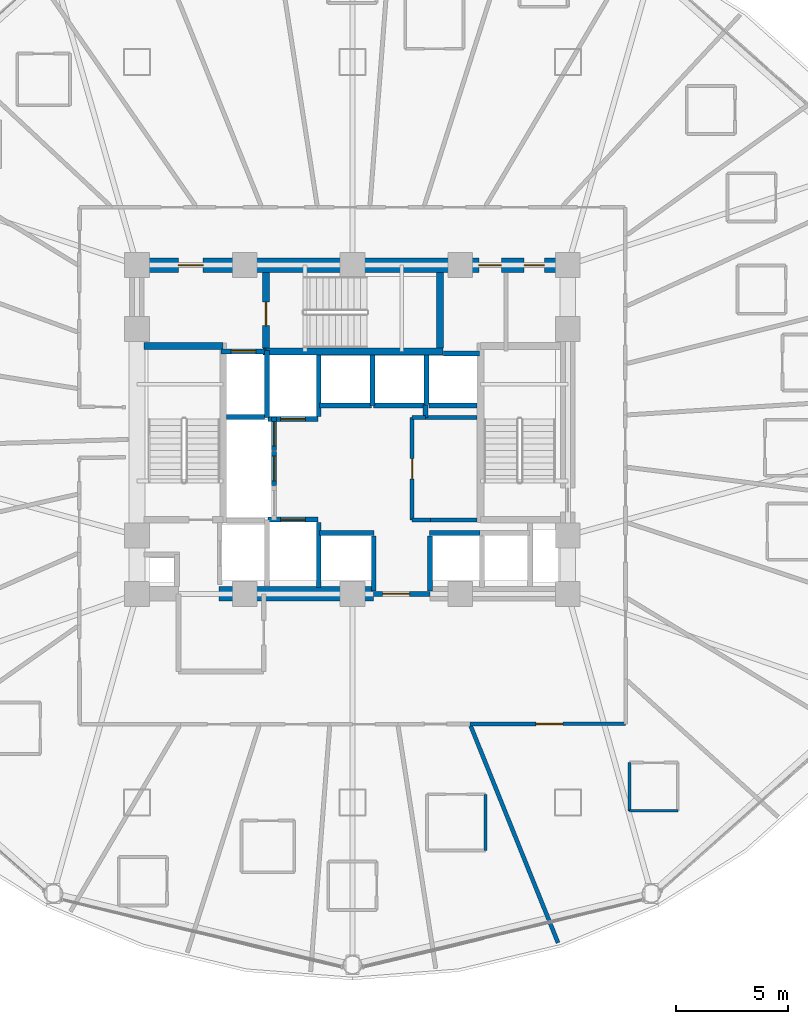
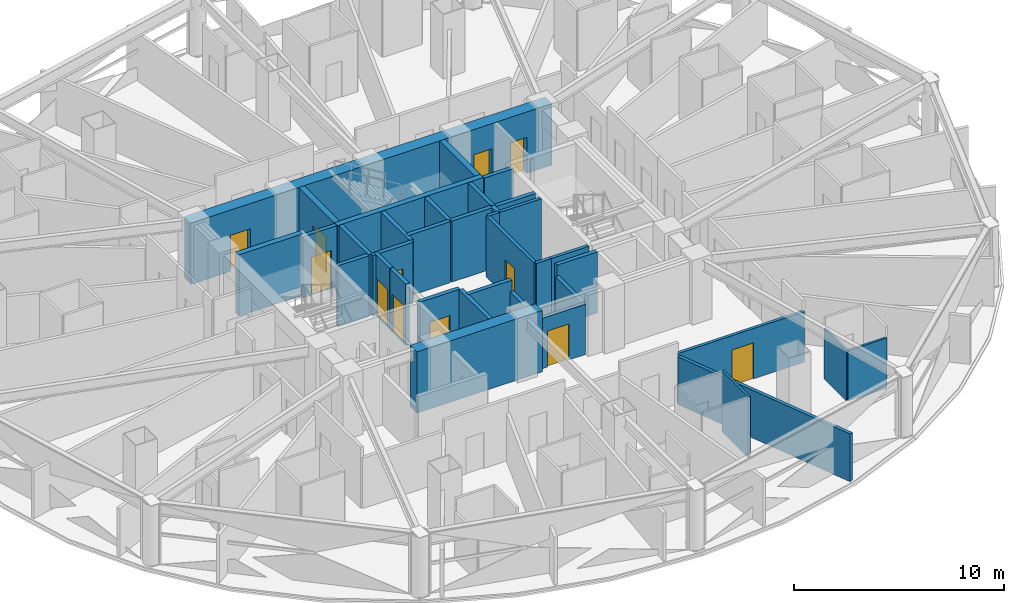
# One storey, part 25 of 32: 37 walls, 12 doors, 12 openings.
"""IFC4 building model written with IfcOpenShell, lengths in metres."""

from ifc_helpers import new_model, si_unit, direction, frame, frame_2d, origin, place, context, subcontext, project, spatial, rectangle, extrude, material, layer, layer_set, type_object, element, fill, save


model = new_model("IFC4")

# Units and contexts
model_context = context("Model", 3, precision=1e-05, world=origin(), true_north=direction((0.0, 1.0)))
body_context = subcontext(model_context, "Body", "Model", "MODEL_VIEW")
ifc_project = project(units=[si_unit("LENGTHUNIT", "METRE"), si_unit("AREAUNIT", "SQUARE_METRE"), si_unit("VOLUMEUNIT", "CUBIC_METRE"), si_unit("PLANEANGLEUNIT", "RADIAN"), si_unit("MASSUNIT", "GRAM", prefix="KILO")], contexts=[model_context])

# Site, building, storey
site_placement = place(None, origin())
site = spatial("IfcSite", under=ifc_project, at=site_placement, CompositionType="ELEMENT")
building_placement = place(site_placement, origin())
building = spatial("IfcBuilding", under=site, at=building_placement, Name="Vantalir Tower", CompositionType="ELEMENT")
storey_placement = place(building_placement, frame((0.0, 0.0, 45.75)))
storey = spatial("IfcBuildingStorey", under=building, at=storey_placement, Name="L10", CompositionType="ELEMENT", Elevation=45.75)

# Walls
ifc_material_1 = material(Name="Moisture-resistant en-suite partition", Category="gypsum")
ifc_layer_1 = layer(ifc_material_1, 0.125)
ifc_layer_set_1 = layer_set([ifc_layer_1], Name="Moisture-resistant en-suite partition")
wall_type_1 = type_object("IfcWallType", Name="WL-BATH-125", PredefinedType="PARTITIONING", material=ifc_layer_set_1)
wall_1_placement = place(storey_placement, frame((37.425048828125, 6.373046875, 0.0), z_axis=(0.0, 0.0, 1.0), x_axis=(0.0, 1.0, 0.0)))
element("IfcWall", 1, at=wall_1_placement, inside=storey, type_object=wall_type_1, Name="L10 En-suite 23 East Wall", PredefinedType="PARTITIONING", context=body_context, shape_type="SweptSolid", body=[
    extrude(rectangle(XDim=2.5, YDim=0.125, at=frame_2d((1.25, 0.0))), origin(), (0.0, 0.0, 1.0), 3.550048828125),
])
wall_2_placement = place(storey_placement, frame((43.846923828125, 8.135986328125, 0.0), z_axis=(0.0, 0.0, 1.0), x_axis=(1.0, 0.0, 0.0)))
element("IfcWall", 2, at=wall_2_placement, inside=storey, type_object=wall_type_1, Name="L10 En-suite 24 South Wall", PredefinedType="PARTITIONING", context=body_context, shape_type="SweptSolid", body=[
    extrude(rectangle(XDim=2.150146484375, YDim=0.125, at=frame_2d((1.0751953125, 0.0))), origin(), (0.0, 0.0, 1.0), 2.927978515625),
])
wall_3_placement = place(storey_placement, frame((43.846923828125, 8.135986328125, 0.0), z_axis=(0.0, 0.0, 1.0), x_axis=(0.0, 1.0, 0.0)))
element("IfcWall", 3, at=wall_3_placement, inside=storey, type_object=wall_type_1, Name="L10 En-suite 24 West Wall", PredefinedType="PARTITIONING", context=body_context, shape_type="SweptSolid", body=[
    extrude(rectangle(XDim=2.14990234375, YDim=0.125, at=frame_2d((1.074951171875, 0.0))), origin(), (0.0, 0.0, 1.0), 2.927978515625),
])
ifc_material_2 = material(Name="Concrete C60/75", Category="concrete")
ifc_layer_2 = layer(ifc_material_2, 0.64990234375)
ifc_layer_set_2 = layer_set([ifc_layer_2], Name="Concrete C60/75")
wall_type_2 = type_object("IfcWallType", Name="WL-CORE-650", PredefinedType="SHEAR", material=ifc_layer_set_2)
wall_4_placement = place(storey_placement, frame((25.550048828125, 17.800048828125, 0.0), z_axis=(0.0, 0.0, 1.0), x_axis=(1.0, 0.0, 0.0)))
element("IfcWall", 4, at=wall_4_placement, inside=storey, type_object=wall_type_2, Name="L10 Core Shear Wall South-Mid", PredefinedType="SHEAR", context=body_context, shape_type="SweptSolid", body=[
    extrude(rectangle(XDim=6.89990234375, YDim=0.64990234375, at=frame_2d((3.449951171875, 0.0))), origin(), (0.0, 0.0, 1.0), 3.570068359375),
])

# Wall, openings, doors
wall_5_placement = place(storey_placement, frame((21.574951171875, 32.449951171875, 0.0), z_axis=(0.0, 0.0, 1.0), x_axis=(1.0, 0.0, 0.0)))
wall_5 = element("IfcWall", 5, at=wall_5_placement, inside=storey, type_object=wall_type_2, Name="L10 Core Shear Wall North", PredefinedType="SHEAR", context=body_context, shape_type="SweptSolid", body=[
    extrude(rectangle(XDim=19.85009765625, YDim=0.64990234375, at=frame_2d((9.925048828125, 0.0))), origin(), (0.0, 0.0, 1.0), 3.570068359375),
])
opening_1_placement = place(wall_5_placement, frame((2.175048828125, 0.0, 0.0)))
opening_1 = element("IfcOpeningElement", 6, at=opening_1_placement, cuts=wall_5, Name="Opening D-FFL", PredefinedType="OPENING", context=body_context, shape_type="SweptSolid", body=[
    extrude(rectangle(XDim=1.10009765625, YDim=2.10009765625, at=frame_2d((0.550048828125, 1.050048828125))), frame((0.0, 0.3349609375, 0.0), z_axis=(0.0, -1.0, 0.0), x_axis=(1.0, 0.0, 0.0)), (0.0, 0.0, 1.0), 0.669921875),
])
opening_2_placement = place(wall_5_placement, frame((15.56494140625, 0.0, 0.0)))
opening_2 = element("IfcOpeningElement", 7, at=opening_2_placement, cuts=wall_5, Name="Opening D-GUEST", PredefinedType="OPENING", context=body_context, shape_type="SweptSolid", body=[
    extrude(rectangle(XDim=1.0, YDim=2.10009765625, at=frame_2d((0.5, 1.050048828125))), frame((0.0, 0.3349609375, 0.0), z_axis=(0.0, -1.0, 0.0), x_axis=(1.0, 0.0, 0.0)), (0.0, 0.0, 1.0), 0.669921875),
])
opening_3_placement = place(wall_5_placement, frame((17.574951171875, 0.0, 0.0)))
opening_3 = element("IfcOpeningElement", 8, at=opening_3_placement, cuts=wall_5, Name="Opening D-CR", PredefinedType="OPENING", context=body_context, shape_type="SweptSolid", body=[
    extrude(rectangle(XDim=0.89990234375, YDim=2.10009765625, at=frame_2d((0.449951171875, 1.050048828125))), frame((0.0, 0.3349609375, 0.0), z_axis=(0.0, -1.0, 0.0), x_axis=(1.0, 0.0, 0.0)), (0.0, 0.0, 1.0), 0.669921875),
])
ifc_material_3 = material(Name="Fire-rated steel core service door", Category="steel")
door_type_1 = type_object("IfcDoorType", Name="DR-CORE-SERV-900", OperationType="NOTDEFINED", PredefinedType="DOOR", material=ifc_material_3)
door_1_placement = place(opening_3_placement, frame((0.89990234375, 0.0, 0.0), z_axis=(0.0, 0.0, 1.0), x_axis=(-1.0, 0.0, 0.0)))
door_1 = element("IfcDoor", 9, at=door_1_placement, inside=storey, type_object=door_type_1, Name="L10 Housekeeping and Linen Room Door", OperationType="SINGLE_SWING_RIGHT", OverallHeight=2.10009765625, OverallWidth=0.89990234375, PredefinedType="DOOR", context=body_context, shape_type="SweptSolid", body=[
    extrude(rectangle(XDim=0.89990234375, YDim=2.10009765625, at=frame_2d((0.449951171875, 1.050048828125))), frame((0.0, 0.02490234375, 0.0), z_axis=(0.0, -1.0, 0.0), x_axis=(1.0, 0.0, 0.0)), (0.0, 0.0, 1.0), 0.050048828125),
])
fill(opening_3, door_1)
ifc_material_4 = material(Name="Fire-rated acoustic steel door", Category="steel")
door_type_2 = type_object("IfcDoorType", Name="DR-FIRE-LOBBY-1100", OperationType="NOTDEFINED", PredefinedType="DOOR", material=ifc_material_4)
door_2_placement = place(opening_1_placement, frame((1.10009765625, 0.0, 0.0), z_axis=(0.0, 0.0, 1.0), x_axis=(-1.0, 0.0, 0.0)))
door_2 = element("IfcDoor", 10, at=door_2_placement, inside=storey, type_object=door_type_2, Name="L10 Firefighting Lobby East Access Door", OperationType="SINGLE_SWING_RIGHT", OverallHeight=2.10009765625, OverallWidth=1.10009765625, PredefinedType="DOOR", context=body_context, shape_type="SweptSolid", body=[
    extrude(rectangle(XDim=1.10009765625, YDim=2.10009765625, at=frame_2d((0.550048828125, 1.050048828125))), frame((0.0, 0.02490234375, 0.0), z_axis=(0.0, -1.0, 0.0), x_axis=(1.0, 0.0, 0.0)), (0.0, 0.0, 1.0), 0.050048828125),
])
fill(opening_1, door_2)
ifc_material_5 = material(Name="Solid-core teak veneer acoustic fire door", Category="wood")
door_type_3 = type_object("IfcDoorType", Name="DR-GUEST-ENTRY-1000", OperationType="NOTDEFINED", PredefinedType="DOOR", material=ifc_material_5)
door_3_placement = place(opening_2_placement, frame((1.0, 0.0, 0.0), z_axis=(0.0, 0.0, 1.0), x_axis=(-1.0, 0.0, 0.0)))
door_3 = element("IfcDoor", 11, at=door_3_placement, inside=storey, type_object=door_type_3, Name="L10 High-Rise Lift Lobby Door", OperationType="SINGLE_SWING_LEFT", OverallHeight=2.10009765625, OverallWidth=1.0, PredefinedType="DOOR", context=body_context, shape_type="SweptSolid", body=[
    extrude(rectangle(XDim=1.0, YDim=2.10009765625, at=frame_2d((0.5, 1.050048828125))), frame((0.0, 0.02490234375, 0.0), z_axis=(0.0, -1.0, 0.0), x_axis=(1.0, 0.0, 0.0)), (0.0, 0.0, 1.0), 0.050048828125),
])
fill(opening_2, door_3)

# Wall, opening, door
ifc_material_6 = material(Name="Fire-rated hotel corridor acoustic partition", Category="gypsum")
ifc_layer_3 = layer(ifc_material_6, 0.159912109375)
ifc_layer_set_3 = layer_set([ifc_layer_3], Name="Fire-rated hotel corridor acoustic partition")
wall_type_3 = type_object("IfcWallType", Name="WL-CORR-160", PredefinedType="PARTITIONING", material=ifc_layer_set_3)
wall_6_placement = place(storey_placement, frame((43.673095703125, 12.009033203125, 0.0), z_axis=(0.0, 0.0, 1.0), x_axis=(-0.999999726963, -0.000738968058, 0.0)))
wall_6 = element("IfcWall", 12, at=wall_6_placement, inside=storey, type_object=wall_type_3, Name="L10 Corridor Partition 24", PredefinedType="PARTITIONING", context=body_context, shape_type="SweptSolid", body=[
    extrude(rectangle(XDim=6.93798828125, YDim=0.159912109375, at=frame_2d((3.468994140625, 0.0))), origin(), (0.0, 0.0, 1.0), 2.927978515625),
])
opening_4_placement = place(wall_6_placement, frame((2.7958984375, 0.0, 0.0)))
opening_4 = element("IfcOpeningElement", 13, at=opening_4_placement, cuts=wall_6, Name="Opening D-STE", PredefinedType="OPENING", context=body_context, shape_type="SweptSolid", body=[
    extrude(rectangle(XDim=1.199951171875, YDim=2.10009765625, at=frame_2d((0.60009765625, 1.050048828125))), frame((0.0, 0.08984375, 0.0), z_axis=(0.0, -1.0, 0.0), x_axis=(1.0, 0.0, 0.0)), (0.0, 0.0, 1.0), 0.179931640625),
])
ifc_material_7 = material(Name="Solid-core teak veneer suite entrance door", Category="wood")
door_type_4 = type_object("IfcDoorType", Name="DR-SUITE-ENTRY-1200", OperationType="NOTDEFINED", PredefinedType="DOOR", material=ifc_material_7)
door_4_placement = place(opening_4_placement, origin())
door_4 = element("IfcDoor", 14, at=door_4_placement, inside=storey, type_object=door_type_4, Name="L10 Corner Panorama Hotel Suite 24 Door", OperationType="SINGLE_SWING_LEFT", OverallHeight=2.10009765625, OverallWidth=1.199951171875, PredefinedType="DOOR", context=body_context, shape_type="SweptSolid", body=[
    extrude(rectangle(XDim=1.199951171875, YDim=2.10009765625, at=frame_2d((0.60009765625, 1.050048828125))), frame((0.0, 0.02490234375, 0.0), z_axis=(0.0, -1.0, 0.0), x_axis=(1.0, 0.0, 0.0)), (0.0, 0.0, 1.0), 0.050048828125),
])
fill(opening_4, door_4)

# Walls
ifc_material_8 = material(Name="Concrete blockwork with fireboard lining", Category="masonry")
ifc_layer_4 = layer(ifc_material_8, 0.219970703125)
ifc_layer_set_4 = layer_set([ifc_layer_4], Name="Concrete blockwork with fireboard lining")
wall_type_4 = type_object("IfcWallType", Name="WL-FFL-220", PredefinedType="PARTITIONING", material=ifc_layer_set_4)
wall_7_placement = place(storey_placement, frame((30.0, 18.080078125, 0.0), z_axis=(0.0, 0.0, 1.0), x_axis=(0.0, 1.0, 0.0)))
element("IfcWall", 15, at=wall_7_placement, inside=storey, type_object=wall_type_4, Name="L10 Service Lift SV1 East Shaft Wall", PredefinedType="PARTITIONING", context=body_context, shape_type="SweptSolid", body=[
    extrude(rectangle(XDim=2.89990234375, YDim=0.219970703125, at=frame_2d((1.449951171875, 0.0))), origin(), (0.0, 0.0, 1.0), 3.544921875),
])
for number, where, z_axis, x_axis, name in (
    (16, (32.449951171875, 17.919921875, 0.0), (0.0, 0.0, 1.0), (0.0, 1.0, 0.0), "L10 Shuttle Lift PL-X1 East Shaft Cheek"),
    (17, (34.949951171875, 17.919921875, 0.0), (0.0, 0.0, 1.0), (0.0, 1.0, 0.0), "L10 Shuttle Lift PL-X3 West Shaft Cheek"),
):
    element("IfcWall", number, at=place(storey_placement, frame(where, z_axis=z_axis, x_axis=x_axis)), inside=storey, type_object=wall_type_4, Name=name, PredefinedType="PARTITIONING", context=body_context, shape_type="SweptSolid", body=[
        extrude(rectangle(XDim=2.469970703125, YDim=0.219970703125, at=frame_2d((1.23486328125, 0.0))), origin(), (0.0, 0.0, 1.0), 2.927978515625),
    ])
wall_8_placement = place(storey_placement, frame((30.0, 25.7099609375, 0.0), z_axis=(0.0, 0.0, 1.0), x_axis=(0.0, 1.0, 0.0)))
element("IfcWall", 18, at=wall_8_placement, inside=storey, type_object=wall_type_4, Name="L10 Service Lift SV2 East Shaft Wall", PredefinedType="PARTITIONING", context=body_context, shape_type="SweptSolid", body=[
    extrude(rectangle(XDim=2.72998046875, YDim=0.219970703125, at=frame_2d((1.364990234375, 0.0))), origin(), (0.0, 0.0, 1.0), 3.544921875),
])
wall_9_placement = place(storey_placement, frame((32.39990234375, 26.199951171875, 0.0), z_axis=(0.0, 0.0, 1.0), x_axis=(0.0, 1.0, 0.0)))
element("IfcWall", 19, at=wall_9_placement, inside=storey, type_object=wall_type_4, Name="L10 High-Rise Lift PL-H1/H2 Shaft Divider", PredefinedType="PARTITIONING", context=body_context, shape_type="SweptSolid", body=[
    extrude(rectangle(XDim=2.239990234375, YDim=0.219970703125, at=frame_2d((1.1201171875, 0.0))), origin(), (0.0, 0.0, 1.0), 3.544921875),
])
wall_10_placement = place(storey_placement, frame((34.800048828125, 26.22998046875, 0.0), z_axis=(0.0, 0.0, 1.0), x_axis=(0.0, 1.0, 0.0)))
element("IfcWall", 20, at=wall_10_placement, inside=storey, type_object=wall_type_4, Name="L10 High-Rise Lift PL-H2/H3 Shaft Divider", PredefinedType="PARTITIONING", context=body_context, shape_type="SweptSolid", body=[
    extrude(rectangle(XDim=2.2099609375, YDim=0.219970703125, at=frame_2d((1.10498046875, 0.0))), origin(), (0.0, 0.0, 1.0), 3.544921875),
])
wall_11_placement = place(storey_placement, frame((34.909912109375, 26.18994140625, 0.0), z_axis=(0.0, 0.0, 1.0), x_axis=(1.0, 0.0, 0.0)))
element("IfcWall", 21, at=wall_11_placement, inside=storey, type_object=wall_type_4, Name="L10 High-Rise Lift PL-H3 Rear Shaft Wall", PredefinedType="PARTITIONING", context=body_context, shape_type="SweptSolid", body=[
    extrude(rectangle(XDim=2.14013671875, YDim=0.219970703125, at=frame_2d((1.070068359375, 0.0))), origin(), (0.0, 0.0, 1.0), 3.544921875),
])

# Wall, opening, door
wall_12_placement = place(storey_placement, frame((32.449951171875, 17.800048828125, 0.0), z_axis=(0.0, 0.0, 1.0), x_axis=(1.0, 0.0, 0.0)))
wall_12 = element("IfcWall", 22, at=wall_12_placement, inside=storey, type_object=wall_type_4, Name="L10 Passenger Lift Lobby South Wall", PredefinedType="PARTITIONING", context=body_context, shape_type="SweptSolid", body=[
    extrude(rectangle(XDim=2.5, YDim=0.219970703125, at=frame_2d((1.25, 0.0))), origin(), (0.0, 0.0, 1.0), 2.927978515625),
])
opening_5_placement = place(wall_12_placement, frame((0.39990234375, 0.0, 0.0)))
opening_5 = element("IfcOpeningElement", 23, at=opening_5_placement, cuts=wall_12, Name="Opening D-STE", PredefinedType="OPENING", context=body_context, shape_type="SweptSolid", body=[
    extrude(rectangle(XDim=1.199951171875, YDim=2.10009765625, at=frame_2d((0.60009765625, 1.050048828125))), frame((0.0, 0.119873046875, 0.0), z_axis=(0.0, -1.0, 0.0), x_axis=(1.0, 0.0, 0.0)), (0.0, 0.0, 1.0), 0.239990234375),
])
door_5_placement = place(opening_5_placement, origin())
door_5 = element("IfcDoor", 24, at=door_5_placement, inside=storey, type_object=door_type_4, Name="L10 Passenger Lift Lobby Concourse Door", OperationType="SINGLE_SWING_LEFT", OverallHeight=2.10009765625, OverallWidth=1.199951171875, PredefinedType="DOOR", context=body_context, shape_type="SweptSolid", body=[
    extrude(rectangle(XDim=1.199951171875, YDim=2.10009765625, at=frame_2d((0.60009765625, 1.050048828125))), frame((0.0, 0.02490234375, 0.0), z_axis=(0.0, -1.0, 0.0), x_axis=(1.0, 0.0, 0.0)), (0.0, 0.0, 1.0), 0.050048828125),
])
fill(opening_5, door_5)

wall_13_placement = place(storey_placement, frame((25.639892578125, 28.610107421875, 0.0), z_axis=(0.0, 0.0, 1.0), x_axis=(1.0, 0.0, 0.0)))
wall_13 = element("IfcWall", 25, at=wall_13_placement, inside=storey, type_object=wall_type_4, Name="L10 Lift FL2 Shaft Front Wall", PredefinedType="PARTITIONING", context=body_context, shape_type="SweptSolid", body=[
    extrude(rectangle(XDim=2.02001953125, YDim=0.219970703125, at=frame_2d((1.010009765625, 0.0))), origin(), (0.0, 0.0, 1.0), 3.550048828125),
])
opening_6_placement = place(wall_13_placement, frame((0.4599609375, 0.0, 0.0)))
opening_6 = element("IfcOpeningElement", 26, at=opening_6_placement, cuts=wall_13, Name="Opening LD-FL2", PredefinedType="OPENING", context=body_context, shape_type="SweptSolid", body=[
    extrude(rectangle(XDim=1.10009765625, YDim=2.199951171875, at=frame_2d((0.550048828125, 1.10009765625))), frame((0.0, 0.119873046875, 0.0), z_axis=(0.0, -1.0, 0.0), x_axis=(1.0, 0.0, 0.0)), (0.0, 0.0, 1.0), 0.239990234375),
])
ifc_material_9 = material(Name="Brushed stainless-steel sliding lift landing door", Category="steel")
door_type_5 = type_object("IfcDoorType", Name="DR-LIFT-LANDING-1100", OperationType="DOUBLE_DOOR_SLIDING", PredefinedType="DOOR", material=ifc_material_9)
door_6_placement = place(opening_6_placement, origin())
door_6 = element("IfcDoor", 27, at=door_6_placement, inside=storey, type_object=door_type_5, Name="L10 Lift Landing Door FL2", OperationType="DOUBLE_DOOR_SLIDING", OverallHeight=2.199951171875, OverallWidth=1.10009765625, PredefinedType="DOOR", context=body_context, shape_type="SweptSolid", body=[
    extrude(rectangle(XDim=1.10009765625, YDim=2.199951171875, at=frame_2d((0.550048828125, 1.10009765625))), frame((0.0, 0.02490234375, 0.0), z_axis=(0.0, -1.0, 0.0), x_axis=(1.0, 0.0, 0.0)), (0.0, 0.0, 1.0), 0.050048828125),
])
fill(opening_6, door_6)

wall_14_placement = place(storey_placement, frame((27.739990234375, 21.110107421875, 0.0), z_axis=(0.0, 0.0, 1.0), x_axis=(1.0, 0.0, 0.0)))
wall_14 = element("IfcWall", 28, at=wall_14_placement, inside=storey, type_object=wall_type_4, Name="L10 Lift SV1 Shaft Front Wall", PredefinedType="PARTITIONING", context=body_context, shape_type="SweptSolid", body=[
    extrude(rectangle(XDim=2.219970703125, YDim=0.219970703125, at=frame_2d((1.10986328125, 0.0))), origin(), (0.0, 0.0, 1.0), 3.550048828125),
])
opening_7_placement = place(wall_14_placement, frame((0.56005859375, 0.0, 0.0)))
opening_7 = element("IfcOpeningElement", 29, at=opening_7_placement, cuts=wall_14, Name="Opening LD-SV1", PredefinedType="OPENING", context=body_context, shape_type="SweptSolid", body=[
    extrude(rectangle(XDim=1.10009765625, YDim=2.199951171875, at=frame_2d((0.550048828125, 1.10009765625))), frame((0.0, 0.119873046875, 0.0), z_axis=(0.0, -1.0, 0.0), x_axis=(1.0, 0.0, 0.0)), (0.0, 0.0, 1.0), 0.239990234375),
])
door_7_placement = place(opening_7_placement, origin())
door_7 = element("IfcDoor", 30, at=door_7_placement, inside=storey, type_object=door_type_5, Name="L10 Lift Landing Door SV1", OperationType="DOUBLE_DOOR_SLIDING", OverallHeight=2.199951171875, OverallWidth=1.10009765625, PredefinedType="DOOR", context=body_context, shape_type="SweptSolid", body=[
    extrude(rectangle(XDim=1.10009765625, YDim=2.199951171875, at=frame_2d((0.550048828125, 1.10009765625))), frame((0.0, 0.02490234375, 0.0), z_axis=(0.0, -1.0, 0.0), x_axis=(1.0, 0.0, 0.0)), (0.0, 0.0, 1.0), 0.050048828125),
])
fill(opening_7, door_7)

wall_15_placement = place(storey_placement, frame((27.739990234375, 25.590087890625, 0.0), z_axis=(0.0, 0.0, 1.0), x_axis=(1.0, 0.0, 0.0)))
wall_15 = element("IfcWall", 31, at=wall_15_placement, inside=storey, type_object=wall_type_4, Name="L10 Lift SV2 Shaft Front Wall", PredefinedType="PARTITIONING", context=body_context, shape_type="SweptSolid", body=[
    extrude(rectangle(XDim=2.219970703125, YDim=0.219970703125, at=frame_2d((1.10986328125, 0.0))), origin(), (0.0, 0.0, 1.0), 3.550048828125),
])
opening_8_placement = place(wall_15_placement, frame((0.56005859375, 0.0, 0.0)))
opening_8 = element("IfcOpeningElement", 32, at=opening_8_placement, cuts=wall_15, Name="Opening LD-SV2", PredefinedType="OPENING", context=body_context, shape_type="SweptSolid", body=[
    extrude(rectangle(XDim=1.10009765625, YDim=2.199951171875, at=frame_2d((0.550048828125, 1.10009765625))), frame((0.0, 0.119873046875, 0.0), z_axis=(0.0, -1.0, 0.0), x_axis=(1.0, 0.0, 0.0)), (0.0, 0.0, 1.0), 0.239990234375),
])
door_8_placement = place(opening_8_placement, frame((1.10009765625, 0.0, 0.0), z_axis=(0.0, 0.0, 1.0), x_axis=(-1.0, 0.0, 0.0)))
door_8 = element("IfcDoor", 33, at=door_8_placement, inside=storey, type_object=door_type_5, Name="L10 Lift Landing Door SV2", OperationType="DOUBLE_DOOR_SLIDING", OverallHeight=2.199951171875, OverallWidth=1.10009765625, PredefinedType="DOOR", context=body_context, shape_type="SweptSolid", body=[
    extrude(rectangle(XDim=1.10009765625, YDim=2.199951171875, at=frame_2d((0.550048828125, 1.10009765625))), frame((0.0, 0.02490234375, 0.0), z_axis=(0.0, -1.0, 0.0), x_axis=(1.0, 0.0, 0.0)), (0.0, 0.0, 1.0), 0.050048828125),
])
fill(opening_8, door_8)

# Walls
wall_16_placement = place(storey_placement, frame((30.0400390625, 20.510009765625, 0.0), z_axis=(0.0, 0.0, 1.0), x_axis=(1.0, 0.0, 0.0)))
element("IfcWall", 34, at=wall_16_placement, inside=storey, type_object=wall_type_4, Name="L10 Lift PL-X1 Shaft Front Wall", PredefinedType="PARTITIONING", context=body_context, shape_type="SweptSolid", body=[
    extrude(rectangle(XDim=2.419921875, YDim=0.219970703125, at=frame_2d((1.2099609375, 0.0))), origin(), (0.0, 0.0, 1.0), 3.550048828125),
])
wall_17_placement = place(storey_placement, frame((34.93994140625, 20.510009765625, 0.0), z_axis=(0.0, 0.0, 1.0), x_axis=(1.0, 0.0, 0.0)))
element("IfcWall", 35, at=wall_17_placement, inside=storey, type_object=wall_type_4, Name="L10 Lift PL-X3 Shaft Front Wall", PredefinedType="PARTITIONING", context=body_context, shape_type="SweptSolid", body=[
    extrude(rectangle(XDim=2.239990234375, YDim=0.219970703125, at=frame_2d((1.1201171875, 0.0))), origin(), (0.0, 0.0, 1.0), 3.550048828125),
])
for number, where, z_axis, x_axis, name in (
    (36, (30.0400390625, 26.18994140625, 0.0), (0.0, 0.0, 1.0), (1.0, 0.0, 0.0), "L10 Lift PL-H1 Shaft Front Wall"),
    (37, (32.43994140625, 26.18994140625, 0.0), (0.0, 0.0, 1.0), (1.0, 0.0, 0.0), "L10 Lift PL-H2 Shaft Front Wall"),
):
    element("IfcWall", number, at=place(storey_placement, frame(where, z_axis=z_axis, x_axis=x_axis)), inside=storey, type_object=wall_type_4, Name=name, PredefinedType="PARTITIONING", context=body_context, shape_type="SweptSolid", body=[
        extrude(rectangle(XDim=2.320068359375, YDim=0.219970703125, at=frame_2d((1.16015625, 0.0))), origin(), (0.0, 0.0, 1.0), 3.550048828125),
    ])
wall_18_placement = place(storey_placement, frame((35.56005859375, 28.510009765625, 0.0), z_axis=(0.0, 0.0, 1.0), x_axis=(1.0, 0.0, 0.0)))
element("IfcWall", 38, at=wall_18_placement, inside=storey, type_object=wall_type_4, Name="L10 Lift PL-H3 Shaft Front Wall", PredefinedType="PARTITIONING", context=body_context, shape_type="SweptSolid", body=[
    extrude(rectangle(XDim=1.599853515625, YDim=0.219970703125, at=frame_2d((0.7998046875, 0.0))), origin(), (0.0, 0.0, 1.0), 3.550048828125),
])

# Wall, opening, door
wall_19_placement = place(storey_placement, frame((28.010009765625, 22.639892578125, 0.0), z_axis=(0.0, 0.0, 1.0), x_axis=(0.0, 1.0, 0.0)))
wall_19 = element("IfcWall", 39, at=wall_19_placement, inside=storey, type_object=wall_type_4, Name="L10 Lift PL-L2 Shaft Front Wall", PredefinedType="PARTITIONING", context=body_context, shape_type="SweptSolid", body=[
    extrude(rectangle(XDim=1.5, YDim=0.219970703125, at=frame_2d((0.75, 0.0))), origin(), (0.0, 0.0, 1.0), 3.550048828125),
])
opening_9_placement = place(wall_19_placement, frame((0.199951171875, 0.0, 0.0)))
opening_9 = element("IfcOpeningElement", 40, at=opening_9_placement, cuts=wall_19, Name="Opening LD-PL-L2", PredefinedType="OPENING", context=body_context, shape_type="SweptSolid", body=[
    extrude(rectangle(XDim=1.10009765625, YDim=2.199951171875, at=frame_2d((0.550048828125, 1.10009765625))), frame((0.0, 0.119873046875, 0.0), z_axis=(0.0, -1.0, 0.0), x_axis=(1.0, 0.0, 0.0)), (0.0, 0.0, 1.0), 0.239990234375),
])
door_9_placement = place(opening_9_placement, frame((1.10009765625, 0.0, 0.0), z_axis=(0.0, 0.0, 1.0), x_axis=(-1.0, 0.0, 0.0)))
door_9 = element("IfcDoor", 41, at=door_9_placement, inside=storey, type_object=door_type_5, Name="L10 Lift Landing Door PL-L2", OperationType="DOUBLE_DOOR_SLIDING", OverallHeight=2.199951171875, OverallWidth=1.10009765625, PredefinedType="DOOR", context=body_context, shape_type="SweptSolid", body=[
    extrude(rectangle(XDim=1.10009765625, YDim=2.199951171875, at=frame_2d((0.550048828125, 1.10009765625))), frame((0.0, 0.02490234375, 0.0), z_axis=(0.0, -1.0, 0.0), x_axis=(1.0, 0.0, 0.0)), (0.0, 0.0, 1.0), 0.050048828125),
])
fill(opening_9, door_9)

wall_20_placement = place(storey_placement, frame((28.010009765625, 24.179931640625, 0.0), z_axis=(0.0, 0.0, 1.0), x_axis=(0.0, 1.0, 0.0)))
wall_20 = element("IfcWall", 42, at=wall_20_placement, inside=storey, type_object=wall_type_4, Name="L10 Lift PL-L3 Shaft Front Wall", PredefinedType="PARTITIONING", context=body_context, shape_type="SweptSolid", body=[
    extrude(rectangle(XDim=1.5, YDim=0.219970703125, at=frame_2d((0.75, 0.0))), origin(), (0.0, 0.0, 1.0), 3.550048828125),
])
opening_10_placement = place(wall_20_placement, frame((0.199951171875, 0.0, 0.0)))
opening_10 = element("IfcOpeningElement", 43, at=opening_10_placement, cuts=wall_20, Name="Opening LD-PL-L3", PredefinedType="OPENING", context=body_context, shape_type="SweptSolid", body=[
    extrude(rectangle(XDim=1.10009765625, YDim=2.199951171875, at=frame_2d((0.550048828125, 1.10009765625))), frame((0.0, 0.119873046875, 0.0), z_axis=(0.0, -1.0, 0.0), x_axis=(1.0, 0.0, 0.0)), (0.0, 0.0, 1.0), 0.239990234375),
])
door_10_placement = place(opening_10_placement, frame((1.10009765625, 0.0, 0.0), z_axis=(0.0, 0.0, 1.0), x_axis=(-1.0, 0.0, 0.0)))
door_10 = element("IfcDoor", 44, at=door_10_placement, inside=storey, type_object=door_type_5, Name="L10 Lift Landing Door PL-L3", OperationType="DOUBLE_DOOR_SLIDING", OverallHeight=2.199951171875, OverallWidth=1.10009765625, PredefinedType="DOOR", context=body_context, shape_type="SweptSolid", body=[
    extrude(rectangle(XDim=1.10009765625, YDim=2.199951171875, at=frame_2d((0.550048828125, 1.10009765625))), frame((0.0, 0.02490234375, 0.0), z_axis=(0.0, -1.0, 0.0), x_axis=(1.0, 0.0, 0.0)), (0.0, 0.0, 1.0), 0.050048828125),
])
fill(opening_10, door_10)

# Walls
wall_21_placement = place(storey_placement, frame((27.699951171875, 25.64990234375, 0.0), z_axis=(0.0, 0.0, 1.0), x_axis=(0.0, 1.0, 0.0)))
element("IfcWall", 45, at=wall_21_placement, inside=storey, type_object=wall_type_4, Name="L10 Fire Lift FL2 Dividing Wall", PredefinedType="PARTITIONING", context=body_context, shape_type="SweptSolid", body=[
    extrude(rectangle(XDim=3.0, YDim=0.219970703125, at=frame_2d((1.5, 0.0))), origin(), (0.0, 0.0, 1.0), 3.550048828125),
])
wall_22_placement = place(storey_placement, frame((25.8798828125, 25.679931640625, 0.0), z_axis=(0.0, 0.0, 1.0), x_axis=(1.0, 0.0, 0.0)))
element("IfcWall", 46, at=wall_22_placement, inside=storey, type_object=wall_type_4, Name="L10 Low-Rise Bank North Wall", PredefinedType="PARTITIONING", context=body_context, shape_type="SweptSolid", body=[
    extrude(rectangle(XDim=1.7001953125, YDim=0.219970703125, at=frame_2d((0.85009765625, 0.0))), origin(), (0.0, 0.0, 1.0), 3.550048828125),
])
wall_23_placement = place(storey_placement, frame((34.760009765625, 25.64990234375, 0.0), z_axis=(0.0, 0.0, 1.0), x_axis=(0.0, 1.0, 0.0)))
element("IfcWall", 47, at=wall_23_placement, inside=storey, type_object=wall_type_4, Name="L10 High-Rise Shaft Shoulder Wall", PredefinedType="PARTITIONING", context=body_context, shape_type="SweptSolid", body=[
    extrude(rectangle(XDim=0.570068359375, YDim=0.219970703125, at=frame_2d((0.28515625, 0.0))), origin(), (0.0, 0.0, 1.0), 3.550048828125),
])
ifc_material_10 = material(Name="Twin-stud acoustic fire-rated gypsum partition", Category="gypsum")
ifc_layer_5 = layer(ifc_material_10, 0.179931640625)
ifc_layer_set_5 = layer_set([ifc_layer_5], Name="Twin-stud acoustic fire-rated gypsum partition")
wall_type_5 = type_object("IfcWallType", Name="WL-GUEST-180", PredefinedType="PARTITIONING", material=ifc_layer_set_5)
wall_24_placement = place(storey_placement, frame((34.97998046875, 21.10009765625, 0.0), z_axis=(0.0, 0.0, 1.0), x_axis=(1.0, 0.0, 0.0)))
element("IfcWall", 48, at=wall_24_placement, inside=storey, type_object=wall_type_5, Name="L10 Freed East Core South Wall", PredefinedType="PARTITIONING", context=body_context, shape_type="SweptSolid", body=[
    extrude(rectangle(XDim=2.080078125, YDim=0.179931640625, at=frame_2d((1.0400390625, 0.0))), origin(), (0.0, 0.0, 1.0), 3.550048828125),
])
wall_25_placement = place(storey_placement, frame((34.719970703125, 25.64990234375, 0.0), z_axis=(0.0, 0.0, 1.0), x_axis=(1.0, 0.0, 0.0)))
element("IfcWall", 49, at=wall_25_placement, inside=storey, type_object=wall_type_5, Name="L10 Freed East Core North Wall", PredefinedType="PARTITIONING", context=body_context, shape_type="SweptSolid", body=[
    extrude(rectangle(XDim=2.340087890625, YDim=0.179931640625, at=frame_2d((1.169921875, 0.0))), origin(), (0.0, 0.0, 1.0), 3.550048828125),
])
wall_26_placement = place(storey_placement, frame((34.159912109375, 21.10009765625, 0.0), z_axis=(0.0, 0.0, 1.0), x_axis=(1.0, 0.0, 0.0)))
element("IfcWall", 50, at=wall_26_placement, inside=storey, type_object=wall_type_5, Name="L10 East IT Room South Return", PredefinedType="PARTITIONING", context=body_context, shape_type="SweptSolid", body=[
    extrude(rectangle(XDim=0.820068359375, YDim=0.179931640625, at=frame_2d((0.41015625, 0.0))), origin(), (0.0, 0.0, 1.0), 3.550048828125),
])
wall_27_placement = place(storey_placement, frame((34.159912109375, 25.64990234375, 0.0), z_axis=(0.0, 0.0, 1.0), x_axis=(1.0, 0.0, 0.0)))
element("IfcWall", 51, at=wall_27_placement, inside=storey, type_object=wall_type_5, Name="L10 East IT Room North Return", PredefinedType="PARTITIONING", context=body_context, shape_type="SweptSolid", body=[
    extrude(rectangle(XDim=0.60009765625, YDim=0.179931640625, at=frame_2d((0.300048828125, 0.0))), origin(), (0.0, 0.0, 1.0), 3.550048828125),
])

# Wall, opening, door
wall_28_placement = place(storey_placement, frame((34.159912109375, 21.10009765625, 0.0), z_axis=(0.0, 0.0, 1.0), x_axis=(0.0, 1.0, 0.0)))
wall_28 = element("IfcWall", 52, at=wall_28_placement, inside=storey, type_object=wall_type_5, Name="L10 East IT Room West Wall", PredefinedType="PARTITIONING", context=body_context, shape_type="SweptSolid", body=[
    extrude(rectangle(XDim=4.5498046875, YDim=0.179931640625, at=frame_2d((2.27490234375, 0.0))), origin(), (0.0, 0.0, 1.0), 3.550048828125),
])
opening_11_placement = place(wall_28_placement, frame((1.824951171875, 0.0, 0.0)))
opening_11 = element("IfcOpeningElement", 53, at=opening_11_placement, cuts=wall_28, Name="Opening D-CR", PredefinedType="OPENING", context=body_context, shape_type="SweptSolid", body=[
    extrude(rectangle(XDim=0.89990234375, YDim=2.10009765625, at=frame_2d((0.449951171875, 1.050048828125))), frame((0.0, 0.099853515625, 0.0), z_axis=(0.0, -1.0, 0.0), x_axis=(1.0, 0.0, 0.0)), (0.0, 0.0, 1.0), 0.199951171875),
])
door_11_placement = place(opening_11_placement, frame((0.89990234375, 0.0, 0.0), z_axis=(0.0, 0.0, 1.0), x_axis=(-1.0, 0.0, 0.0)))
door_11 = element("IfcDoor", 54, at=door_11_placement, inside=storey, type_object=door_type_1, Name="L10 Core Data Switchroom Door", OperationType="SINGLE_SWING_RIGHT", OverallHeight=2.10009765625, OverallWidth=0.89990234375, PredefinedType="DOOR", context=body_context, shape_type="SweptSolid", body=[
    extrude(rectangle(XDim=0.89990234375, YDim=2.10009765625, at=frame_2d((0.449951171875, 1.050048828125))), frame((0.0, 0.02490234375, 0.0), z_axis=(0.0, -1.0, 0.0), x_axis=(1.0, 0.0, 0.0)), (0.0, 0.0, 1.0), 0.050048828125),
])
fill(opening_11, door_11)

# Walls
wall_29_placement = place(storey_placement, frame((36.77197265625, 11.9130859375, 0.0), z_axis=(0.0, 0.0, 1.0), x_axis=(0.373617850664, -0.927582719581, 0.0)))
element("IfcWall", 55, at=wall_29_placement, inside=storey, type_object=wall_type_5, Name="L10 Radial Suite Partition 24", PredefinedType="PARTITIONING", context=body_context, shape_type="SweptSolid", body=[
    extrude(rectangle(XDim=10.40869140625, YDim=0.179931640625, at=frame_2d((5.204345703125, 0.0))), origin(), (0.0, 0.0, 1.0), 2.77490234375),
])
ifc_material_11 = material(Name="Concrete C50/60", Category="concrete")
ifc_layer_6 = layer(ifc_material_11, 0.300048828125)
ifc_layer_set_6 = layer_set([ifc_layer_6], Name="Concrete C50/60")
wall_type_6 = type_object("IfcWallType", Name="WL-STAIR-300", PredefinedType="SHEAR", material=ifc_layer_set_6)
wall_30_placement = place(storey_placement, frame((22.22509765625, 28.85009765625, 0.0), z_axis=(0.0, 0.0, 1.0), x_axis=(1.0, 0.0, 0.0)))
element("IfcWall", 56, at=wall_30_placement, inside=storey, type_object=wall_type_6, Name="L10 Stair ST1 North Wall", PredefinedType="SHEAR", context=body_context, shape_type="SweptSolid", body=[
    extrude(rectangle(XDim=3.514892578125, YDim=0.300048828125, at=frame_2d((1.75732421875, 0.0))), origin(), (0.0, 0.0, 1.0), 3.570068359375),
])
wall_31_placement = place(storey_placement, frame((27.510009765625, 28.60009765625, 0.0), z_axis=(0.0, 0.0, 1.0), x_axis=(1.0, 0.0, 0.0)))
element("IfcWall", 57, at=wall_31_placement, inside=storey, type_object=wall_type_6, Name="L10 Stair ST3 South Wall", PredefinedType="SHEAR", context=body_context, shape_type="SweptSolid", body=[
    extrude(rectangle(XDim=8.030029296875, YDim=0.300048828125, at=frame_2d((4.01513671875, 0.0))), origin(), (0.0, 0.0, 1.0), 3.570068359375),
])

# Wall, opening, door
wall_32_placement = place(storey_placement, frame((27.64990234375, 28.75, 0.0), z_axis=(0.0, 0.0, 1.0), x_axis=(0.0, 1.0, 0.0)))
wall_32 = element("IfcWall", 58, at=wall_32_placement, inside=storey, type_object=wall_type_6, Name="L10 Stair ST3 West Wall", PredefinedType="SHEAR", context=body_context, shape_type="SweptSolid", body=[
    extrude(rectangle(XDim=3.375, YDim=0.300048828125, at=frame_2d((1.6875, 0.0))), origin(), (0.0, 0.0, 1.0), 3.570068359375),
])
opening_12_placement = place(wall_32_placement, frame((1.0, 0.0, 0.0)))
opening_12 = element("IfcOpeningElement", 59, at=opening_12_placement, cuts=wall_32, Name="Opening D-ST", PredefinedType="OPENING", context=body_context, shape_type="SweptSolid", body=[
    extrude(rectangle(XDim=1.050048828125, YDim=2.10009765625, at=frame_2d((0.52490234375, 1.050048828125))), frame((0.0, 0.159912109375, 0.0), z_axis=(0.0, -1.0, 0.0), x_axis=(1.0, 0.0, 0.0)), (0.0, 0.0, 1.0), 0.320068359375),
])
ifc_material_12 = material(Name="Fire-rated steel door leaf", Category="steel")
door_type_6 = type_object("IfcDoorType", Name="DR-FIRE-STAIR-1050", OperationType="NOTDEFINED", PredefinedType="DOOR", material=ifc_material_12)
door_12_placement = place(opening_12_placement, frame((1.050048828125, 0.0, 0.0), z_axis=(0.0, 0.0, 1.0), x_axis=(-1.0, 0.0, 0.0)))
door_12 = element("IfcDoor", 60, at=door_12_placement, inside=storey, type_object=door_type_6, Name="L10 Exit Stair ST3 Fire Door", OperationType="SINGLE_SWING_LEFT", OverallHeight=2.10009765625, OverallWidth=1.050048828125, PredefinedType="DOOR", context=body_context, shape_type="SweptSolid", body=[
    extrude(rectangle(XDim=1.050048828125, YDim=2.10009765625, at=frame_2d((0.52490234375, 1.050048828125))), frame((0.0, 0.02490234375, 0.0), z_axis=(0.0, -1.0, 0.0), x_axis=(1.0, 0.0, 0.0)), (0.0, 0.0, 1.0), 0.050048828125),
])
fill(opening_12, door_12)

# Wall
wall_33_placement = place(storey_placement, frame((35.39990234375, 28.75, 0.0), z_axis=(0.0, 0.0, 1.0), x_axis=(0.0, 1.0, 0.0)))
element("IfcWall", 61, at=wall_33_placement, inside=storey, type_object=wall_type_6, Name="L10 Stair ST3 East Wall", PredefinedType="SHEAR", context=body_context, shape_type="SweptSolid", body=[
    extrude(rectangle(XDim=3.375, YDim=0.300048828125, at=frame_2d((1.6875, 0.0))), origin(), (0.0, 0.0, 1.0), 3.570068359375),
])

save(model, "model.ifc")
